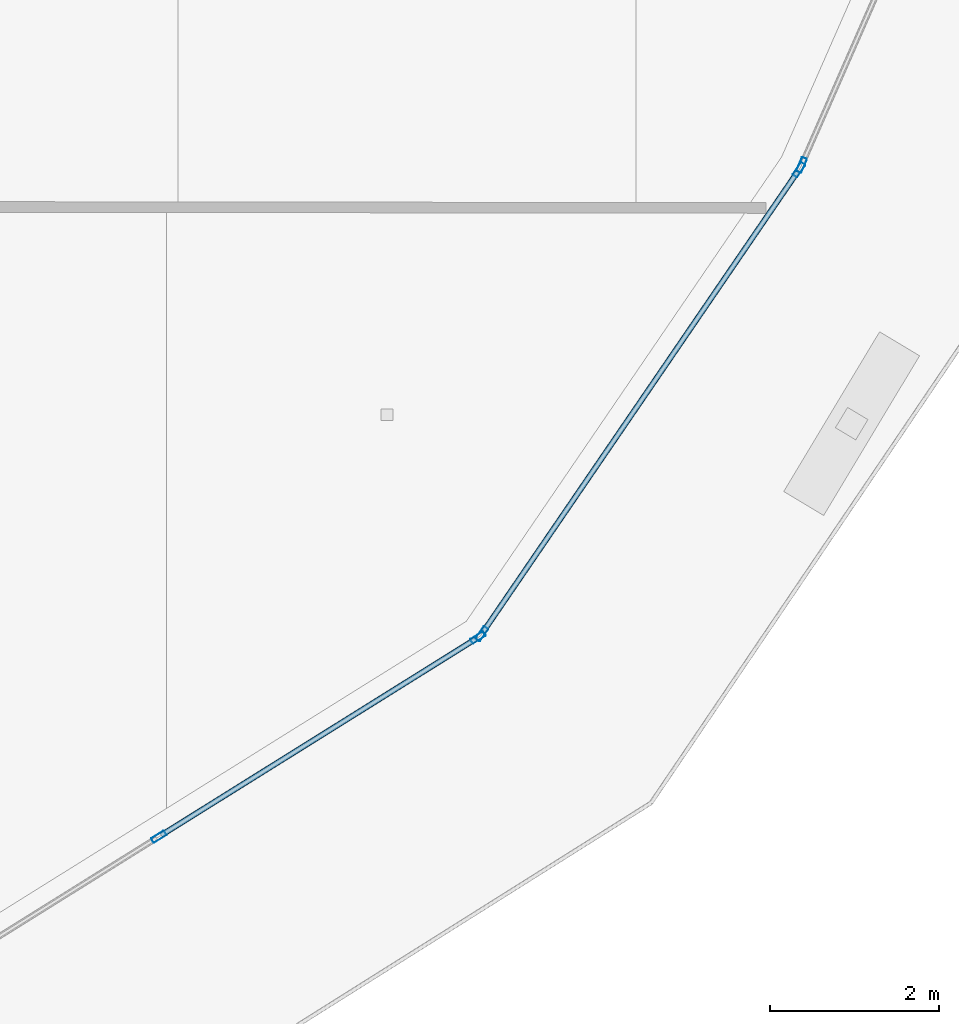
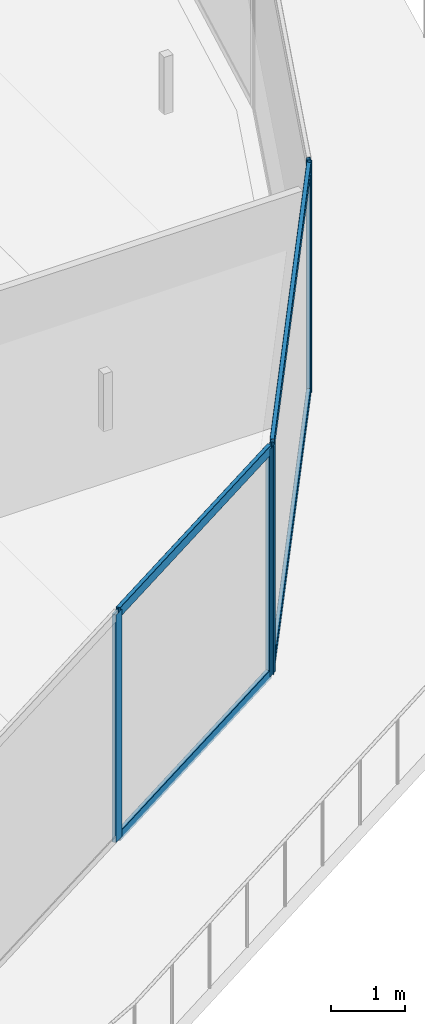
# One storey, part 9 of 38: 9 members, 3 elements without a shape of their own.
"""IFC4 building model written with IfcOpenShell, lengths in metres."""

import ifcopenshell
import ifcopenshell.guid

model = None  # the IFC model being written
_history = None  # IfcOwnerHistory: only IFC2X3 demands one
_inside = {}  # id of a spatial element -> (the spatial element, [elements in it])
_under = {}  # id of a project, library or spatial element -> (it, [spatial elements below it])
_declared = {}  # id of a project -> (the project, [libraries it declares])
_typed = {}  # id of a type object -> (the type object, [elements of that type])
_made_of = {}  # id of a material, layer set ... -> (it, [elements and type objects made of it])


def new_model(schema):
    """Start an empty IFC model of exactly this schema.

    Asked for "IFC4X3", IfcOpenShell would pick the latest addendum, in which some entities
    have other attributes; the version numbers below select the first issue.
    IFC2X3 requires an IfcOwnerHistory on every rooted entity: one is made here for all.
    """
    global model, _history
    if schema == "IFC4X3":
        model = ifcopenshell.file(schema_version=(4, 3, 0, 0))
    else:
        model = ifcopenshell.file(schema=schema)
    _inside.clear()
    _under.clear()
    _declared.clear()
    _typed.clear()
    _made_of.clear()
    _history = None
    if model.schema == "IFC2X3":
        org = make("IfcOrganization", Name="unknown")
        user = make(
            "IfcPersonAndOrganization",
            ThePerson=make("IfcPerson", FamilyName="unknown"),
            TheOrganization=org,
        )
        app = make(
            "IfcApplication",
            ApplicationDeveloper=org,
            Version="unknown",
            ApplicationFullName="unknown",
            ApplicationIdentifier="unknown",
        )
        _history = make(
            "IfcOwnerHistory",
            OwningUser=user,
            OwningApplication=app,
            ChangeAction="ADDED",
            CreationDate=0,
        )
    return model


def make(cls, **values):
    """One entity of the class cls with the attributes given. An attribute that is None is left unset."""
    return model.create_entity(
        cls, **{name: value for name, value in values.items() if value is not None}
    )


def rooted(cls, **values):
    """An entity with a GlobalId (a new one), such as an element, a storey or a relation."""
    return make(cls, GlobalId=ifcopenshell.guid.new(), OwnerHistory=_history, **values)


def si_unit(unit_type, name, prefix=None):
    """IfcSIUnit, for example si_unit("LENGTHUNIT", "METRE", prefix="MILLI")."""
    return make("IfcSIUnit", UnitType=unit_type, Prefix=prefix, Name=name)


def assignment(units):
    """IfcUnitAssignment: the units of a project."""
    return None if units is None else make("IfcUnitAssignment", Units=units)


def point(xyz):
    """IfcCartesianPoint."""
    return None if xyz is None else make("IfcCartesianPoint", Coordinates=xyz)


def direction(xyz):
    """IfcDirection."""
    return None if xyz is None else make("IfcDirection", DirectionRatios=xyz)


def frame(location, z_axis=None, x_axis=None):
    """IfcAxis2Placement3D, a coordinate frame: its origin and axes. An axis left out is left unset."""
    return make(
        "IfcAxis2Placement3D",
        Location=point(location),
        Axis=direction(z_axis),
        RefDirection=direction(x_axis),
    )


def frame_2d(location, x_axis=None):
    """IfcAxis2Placement2D, a coordinate frame in the plane: its origin and x axis."""
    return make(
        "IfcAxis2Placement2D", Location=point(location), RefDirection=direction(x_axis)
    )


def origin():
    """The frame at (0, 0, 0) with its axes left unset."""
    return frame((0.0, 0.0, 0.0))


def origin_2d():
    """The frame at (0, 0) in the plane with its x axis left unset."""
    return frame_2d((0.0, 0.0))


def place(relative_to, where):
    """IfcLocalPlacement: puts the frame where relative to a parent placement (None: the world)."""
    return make(
        "IfcLocalPlacement", PlacementRelTo=relative_to, RelativePlacement=where
    )


def context(
    kind, dimensions, precision=None, world=None, true_north=None, identifier=None
):
    """IfcGeometricRepresentationContext, for example the 3D "Model" context."""
    return make(
        "IfcGeometricRepresentationContext",
        ContextIdentifier=identifier,
        ContextType=kind,
        CoordinateSpaceDimension=dimensions,
        Precision=precision,
        WorldCoordinateSystem=world,
        TrueNorth=true_north,
    )


def subcontext(parent, identifier, kind, view, scale=None):
    """IfcGeometricRepresentationSubContext, for example "Body" below "Model"."""
    return make(
        "IfcGeometricRepresentationSubContext",
        ContextIdentifier=identifier,
        ContextType=kind,
        ParentContext=parent,
        TargetScale=scale,
        TargetView=view,
    )


def project(units=None, contexts=None):
    """IfcProject with its units and contexts."""
    return rooted(
        "IfcProject",
        Name="project",
        RepresentationContexts=contexts,
        UnitsInContext=assignment(units),
    )


def spatial(cls, under=None, at=None, **own):
    """A site, building, storey or space (cls), placed at a placement, below another one or the project."""
    s = rooted(cls, ObjectPlacement=at, **own)
    if under is not None:
        _under.setdefault(under.id(), (under, []))[1].append(s)
    return s


def profile(cls, at=None, kind="AREA", **sizes):
    """A parametric profile (cls). Its sizes go by their IFC names, for example OverallWidth=200.0."""
    return make(cls, ProfileType=kind, Position=at, **sizes)


def hollow_rectangle(**sizes):
    """IfcRectangleHollowProfileDef."""
    return profile("IfcRectangleHollowProfileDef", **sizes)


def extrude(swept, where, along, depth):
    """IfcExtrudedAreaSolid: the profile swept, set in the frame where, extruded along a direction by depth."""
    return make(
        "IfcExtrudedAreaSolid",
        SweptArea=swept,
        Position=where,
        ExtrudedDirection=direction(along),
        Depth=depth,
    )


def shape(context_of_items, identifier, shape_type, items):
    """IfcShapeRepresentation: the items that make up one representation, for example the "Body"."""
    return make(
        "IfcShapeRepresentation",
        ContextOfItems=context_of_items,
        RepresentationIdentifier=identifier,
        RepresentationType=shape_type,
        Items=items,
    )


def material(Name=None, Category=None):
    """IfcMaterial."""
    return make("IfcMaterial", Name=Name, Category=Category)


def layer(
    of_material, thickness, ventilated=None, Name=None, Category=None, Priority=None
):
    """IfcMaterialLayer: one layer of a wall or slab, of a material (None: an air gap)."""
    return make(
        "IfcMaterialLayer",
        Material=of_material,
        LayerThickness=thickness,
        IsVentilated=ventilated,
        Name=Name,
        Category=Category,
        Priority=Priority,
    )


def layer_set(layers, Name=None):
    """IfcMaterialLayerSet."""
    return make("IfcMaterialLayerSet", MaterialLayers=layers, LayerSetName=Name)


def material_profile(
    of_material, cross_section, Name=None, Category=None, Priority=None
):
    """IfcMaterialProfile: a cross section and its material."""
    return make(
        "IfcMaterialProfile",
        Name=Name,
        Material=of_material,
        Profile=cross_section,
        Priority=Priority,
        Category=Category,
    )


def profile_set(profiles, Name=None, composite=None):
    """IfcMaterialProfileSet."""
    return make(
        "IfcMaterialProfileSet",
        Name=Name,
        MaterialProfiles=profiles,
        CompositeProfile=composite,
    )


def made_of(thing, what):
    """Note that an element or type object is made of a material, layer set ...; save() writes the relation."""
    if what is not None:
        _made_of.setdefault(what.id(), (what, []))[1].append(thing)
    return thing


def type_object(cls, material=None, **own):
    """A type object (cls), such as IfcWallType, which elements share."""
    return made_of(rooted(cls, **own), material)


def element(
    cls,
    number,
    at=None,
    inside=None,
    cuts=None,
    type_object=None,
    material=None,
    context=None,
    identifier="Body",
    shape_type=None,
    held_by="IfcProductDefinitionShape",
    body=None,
    shapes=None,
    **own,
):
    """One element of the class cls, such as IfcWall. Its Tag is "e" and its number.

    at: its placement. inside: the storey or other place that contains it. cuts: it is an
    opening in that element (IfcRelVoidsElement). A single representation is given by context,
    identifier, shape_type and body (its items); several are given by shapes. held_by: the class
    of the entity that holds the representations. save() writes the other relations.
    """
    e = rooted(cls, Tag="e%d" % number, ObjectPlacement=at, **own)
    if body is not None:
        shapes = [shape(context, identifier, shape_type, body)]
    if shapes is not None:
        e.Representation = make(held_by, Representations=shapes)
    if inside is not None:
        _inside.setdefault(inside.id(), (inside, []))[1].append(e)
    if cuts is not None:
        rooted(
            "IfcRelVoidsElement", RelatingBuildingElement=cuts, RelatedOpeningElement=e
        )
    if type_object is not None:
        _typed.setdefault(type_object.id(), (type_object, []))[1].append(e)
    return made_of(e, material)


def aggregate(whole, parts):
    """IfcRelAggregates: a whole, such as a stair, and the parts it consists of."""
    return rooted("IfcRelAggregates", RelatingObject=whole, RelatedObjects=parts)


def save(model, path):
    """Write the relations noted so far, then the file.

    IfcRelAggregates (storeys below a building ...), IfcRelContainedInSpatialStructure (elements
    in a storey), IfcRelDefinesByType, IfcRelAssociatesMaterial and IfcRelDeclares: one each for
    every whole, place, type object, material and project.
    """
    for whole, parts in _under.values():
        aggregate(whole, parts)
    for where, things in _inside.values():
        rooted(
            "IfcRelContainedInSpatialStructure",
            RelatedElements=things,
            RelatingStructure=where,
        )
    for kind, things in _typed.values():
        rooted("IfcRelDefinesByType", RelatedObjects=things, RelatingType=kind)
    for what, things in _made_of.values():
        rooted("IfcRelAssociatesMaterial", RelatedObjects=things, RelatingMaterial=what)
    for by, libraries in _declared.values():
        rooted("IfcRelDeclares", RelatingContext=by, RelatedDefinitions=libraries)
    model.write(path)


model = new_model("IFC4")

# Units and contexts
model_context = context("Model", 3, precision=1e-05, world=origin(), true_north=direction((0.0, 1.0)))
body_context = subcontext(model_context, "Body", "Model", "MODEL_VIEW")
ifc_project = project(units=[si_unit("LENGTHUNIT", "METRE"), si_unit("AREAUNIT", "SQUARE_METRE"), si_unit("VOLUMEUNIT", "CUBIC_METRE"), si_unit("PLANEANGLEUNIT", "RADIAN"), si_unit("MASSUNIT", "GRAM", prefix="KILO")], contexts=[model_context])

# Site, building, storey
site_placement = place(None, origin())
site = spatial("IfcSite", under=ifc_project, at=site_placement, CompositionType="ELEMENT")
building_placement = place(site_placement, origin())
building = spatial("IfcBuilding", under=site, at=building_placement, Name="Qorvath Tower", CompositionType="ELEMENT")
storey_placement = place(building_placement, frame((0.0, 0.0, 146.25)))
storey = spatial("IfcBuildingStorey", under=building, at=storey_placement, Name="L33", CompositionType="ELEMENT", Elevation=146.25)

# Curtain wall, members
ifc_material_1 = material(Name="Anodised aluminium and triple low-E glass", Category="aluminium")
ifc_layer = layer(ifc_material_1, 0.179931640625)
ifc_layer_set = layer_set([ifc_layer], Name="CW-SYS-3")
curtain_wall_type = type_object("IfcCurtainWallType", Name="CW-SYS-3", PredefinedType="NOTDEFINED", material=ifc_layer_set)
curtain_wall_1_placement = place(storey_placement, origin())
curtain_wall_1 = element("IfcCurtainWall", 1, at=curtain_wall_1_placement, inside=storey, type_object=curtain_wall_type, Name="Curtain Wall CW-3 CW-T-L33-4.1", PredefinedType="NOTDEFINED")
ifc_material_2 = material(Name="Anodised aluminium 6063-T6", Category="aluminium")
ifc_material_profile_1 = material_profile(ifc_material_2, hollow_rectangle(XDim=0.06494140625, YDim=0.179931640625, WallThickness=0.00341796875, InnerFilletRadius=0.00341796875, OuterFilletRadius=0.007080078125, at=origin_2d()), Name="CWM 180x65")
ifc_profile_set_1 = profile_set([ifc_material_profile_1], Name="Anodised aluminium 6063-T6")
member_type_1 = type_object("IfcMemberType", Name="CWM-180", PredefinedType="MULLION", material=ifc_profile_set_1)
member_1_placement = place(storey_placement, frame((-7.95703125, -25.410400390625, 0.0), z_axis=(0.0, 0.0, 1.0), x_axis=(-0.529441480387, 0.848346461563, 0.0)))
member_1 = element("IfcMember", 2, at=member_1_placement, type_object=member_type_1, Name="CW-3 mullion 2", PredefinedType="MULLION", context=body_context, shape_type="SweptSolid", body=[
    extrude(hollow_rectangle(XDim=0.06494140625, YDim=0.179931640625, WallThickness=0.00341796875, InnerFilletRadius=0.00341796875, OuterFilletRadius=0.007080078125, at=origin_2d()), origin(), (0.0, 0.0, 1.0), 3.780029296875),
])
member_2_placement = place(storey_placement, frame((-4.18798828125, -23.05810546875, 0.0), z_axis=(0.0, 0.0, 1.0), x_axis=(-0.529441480387, 0.848346461563, 0.0)))
member_2 = element("IfcMember", 3, at=member_2_placement, type_object=member_type_1, Name="CW-3 mullion 3", PredefinedType="MULLION", context=body_context, shape_type="SweptSolid", body=[
    extrude(hollow_rectangle(XDim=0.06494140625, YDim=0.179931640625, WallThickness=0.00341796875, InnerFilletRadius=0.00341796875, OuterFilletRadius=0.007080078125, at=origin_2d()), origin(), (0.0, 0.0, 1.0), 3.780029296875),
])

curtain_wall_2_placement = place(storey_placement, origin())
curtain_wall_2 = element("IfcCurtainWall", 4, at=curtain_wall_2_placement, inside=storey, type_object=curtain_wall_type, Name="Curtain Wall CW-3 CW-T-L33-5.1", PredefinedType="NOTDEFINED")
member_3_placement = place(storey_placement, frame((-4.14208984375, -23.013916015625, 0.0), z_axis=(0.0, 0.0, 1.0), x_axis=(-0.825610125251, 0.564241013294, 0.0)))
member_3 = element("IfcMember", 5, at=member_3_placement, type_object=member_type_1, Name="CW-3 mullion 1", PredefinedType="MULLION", context=body_context, shape_type="SweptSolid", body=[
    extrude(hollow_rectangle(XDim=0.06494140625, YDim=0.179931640625, WallThickness=0.00341796875, InnerFilletRadius=0.00341796875, OuterFilletRadius=0.007080078125, at=origin_2d()), origin(), (0.0, 0.0, 1.0), 3.780029296875),
])
member_4_placement = place(storey_placement, frame((-0.396484375, -17.533447265625, 0.0), z_axis=(0.0, 0.0, 1.0), x_axis=(-0.825610125251, 0.564241013294, 0.0)))
member_4 = element("IfcMember", 6, at=member_4_placement, type_object=member_type_1, Name="CW-3 mullion 2", PredefinedType="MULLION", context=body_context, shape_type="SweptSolid", body=[
    extrude(hollow_rectangle(XDim=0.06494140625, YDim=0.179931640625, WallThickness=0.00341796875, InnerFilletRadius=0.00341796875, OuterFilletRadius=0.007080078125, at=origin_2d()), origin(), (0.0, 0.0, 1.0), 3.780029296875),
])

# Curtain wall, member
curtain_wall_3_placement = place(storey_placement, origin())
curtain_wall_3 = element("IfcCurtainWall", 7, at=curtain_wall_3_placement, inside=storey, type_object=curtain_wall_type, Name="Curtain Wall CW-3 CW-T-L33-6.1", PredefinedType="NOTDEFINED")
member_5_placement = place(storey_placement, frame((-0.365234375, -17.476806640625, 0.0), z_axis=(0.0, 0.0, 1.0), x_axis=(-0.915703754985, 0.401853994762, 0.0)))
member_5 = element("IfcMember", 8, at=member_5_placement, type_object=member_type_1, Name="CW-3 mullion 1", PredefinedType="MULLION", context=body_context, shape_type="SweptSolid", body=[
    extrude(hollow_rectangle(XDim=0.06494140625, YDim=0.179931640625, WallThickness=0.00341796875, InnerFilletRadius=0.00341796875, OuterFilletRadius=0.007080078125, at=origin_2d()), origin(), (0.0, 0.0, 1.0), 3.780029296875),
])
aggregate(curtain_wall_3, [member_5])

# Member
ifc_material_3 = material(Name="Anodised aluminium 6063-T6", Category="aluminium")
ifc_material_profile_2 = material_profile(ifc_material_3, hollow_rectangle(XDim=0.06494140625, YDim=0.159912109375, WallThickness=0.00341796875, InnerFilletRadius=0.00341796875, OuterFilletRadius=0.007080078125, at=origin_2d()), Name="CWT 160x65")
ifc_profile_set_2 = profile_set([ifc_material_profile_2], Name="Anodised aluminium 6063-T6")
member_type_2 = type_object("IfcMemberType", Name="CWT-160", PredefinedType="USERDEFINED", material=ifc_profile_set_2)
member_6_placement = place(storey_placement, frame((-7.9296875, -25.39306640625, 0.032470703125), z_axis=(0.848352128257, 0.529432400294, 0.0), x_axis=(-0.529432400294, 0.848352128257, 0.0)))
member_6 = element("IfcMember", 9, at=member_6_placement, type_object=member_type_2, Name="CW-3 transom 2.1", ObjectType="TRANSOM", PredefinedType="USERDEFINED", context=body_context, shape_type="SweptSolid", body=[
    extrude(hollow_rectangle(XDim=0.06494140625, YDim=0.159912109375, WallThickness=0.00341796875, InnerFilletRadius=0.00341796875, OuterFilletRadius=0.007080078125, at=origin_2d()), origin(), (0.0, 0.0, 1.0), 4.3779296875),
])

member_7_placement = place(storey_placement, frame((-7.9296875, -25.39306640625, 3.74755859375), z_axis=(0.848352128257, 0.529432400294, 0.0), x_axis=(-0.529432400294, 0.848352128257, 0.0)))
member_7 = element("IfcMember", 10, at=member_7_placement, type_object=member_type_2, Name="CW-3 transom 2.2", ObjectType="TRANSOM", PredefinedType="USERDEFINED", context=body_context, shape_type="SweptSolid", body=[
    extrude(hollow_rectangle(XDim=0.06494140625, YDim=0.159912109375, WallThickness=0.00341796875, InnerFilletRadius=0.00341796875, OuterFilletRadius=0.007080078125, at=origin_2d()), origin(), (0.0, 0.0, 1.0), 4.3779296875),
])

aggregate(curtain_wall_1, [member_1, member_2, member_6, member_7])

member_8_placement = place(storey_placement, frame((-4.123779296875, -22.987060546875, 0.032470703125), z_axis=(0.56426308506, 0.825595040464, 0.0), x_axis=(-0.825595040464, 0.56426308506, 0.0)))
member_8 = element("IfcMember", 11, at=member_8_placement, type_object=member_type_2, Name="CW-3 transom 1.1", ObjectType="TRANSOM", PredefinedType="USERDEFINED", context=body_context, shape_type="SweptSolid", body=[
    extrude(hollow_rectangle(XDim=0.06494140625, YDim=0.159912109375, WallThickness=0.00341796875, InnerFilletRadius=0.00341796875, OuterFilletRadius=0.007080078125, at=origin_2d()), origin(), (0.0, 0.0, 1.0), 6.5732421875),
])

member_9_placement = place(storey_placement, frame((-4.123779296875, -22.987060546875, 3.74755859375), z_axis=(0.56426308506, 0.825595040464, 0.0), x_axis=(-0.825595040464, 0.56426308506, 0.0)))
member_9 = element("IfcMember", 12, at=member_9_placement, type_object=member_type_2, Name="CW-3 transom 1.2", ObjectType="TRANSOM", PredefinedType="USERDEFINED", context=body_context, shape_type="SweptSolid", body=[
    extrude(hollow_rectangle(XDim=0.06494140625, YDim=0.159912109375, WallThickness=0.00341796875, InnerFilletRadius=0.00341796875, OuterFilletRadius=0.007080078125, at=origin_2d()), origin(), (0.0, 0.0, 1.0), 6.5732421875),
])

aggregate(curtain_wall_2, [member_3, member_4, member_8, member_9])

save(model, "model.ifc")
